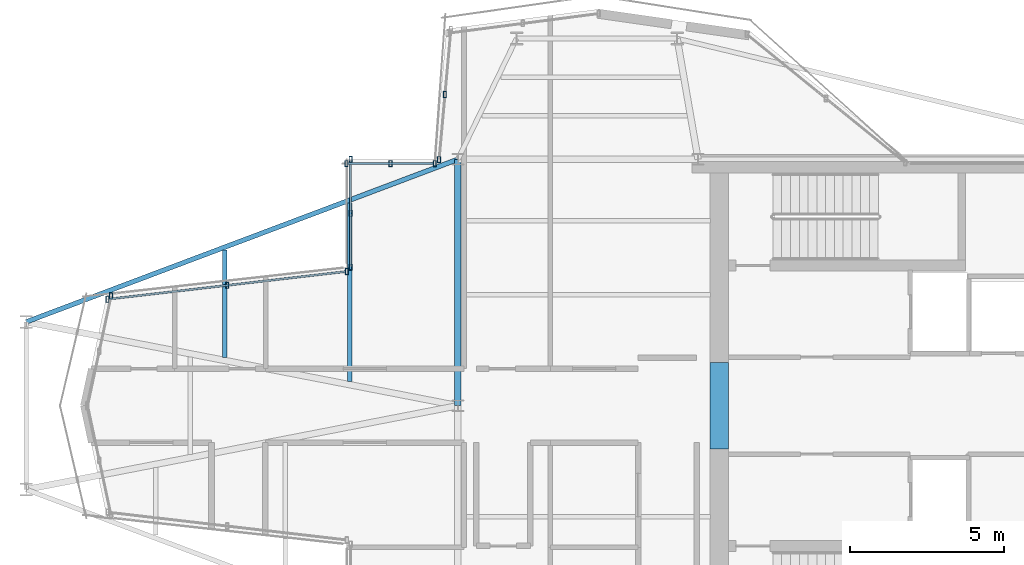
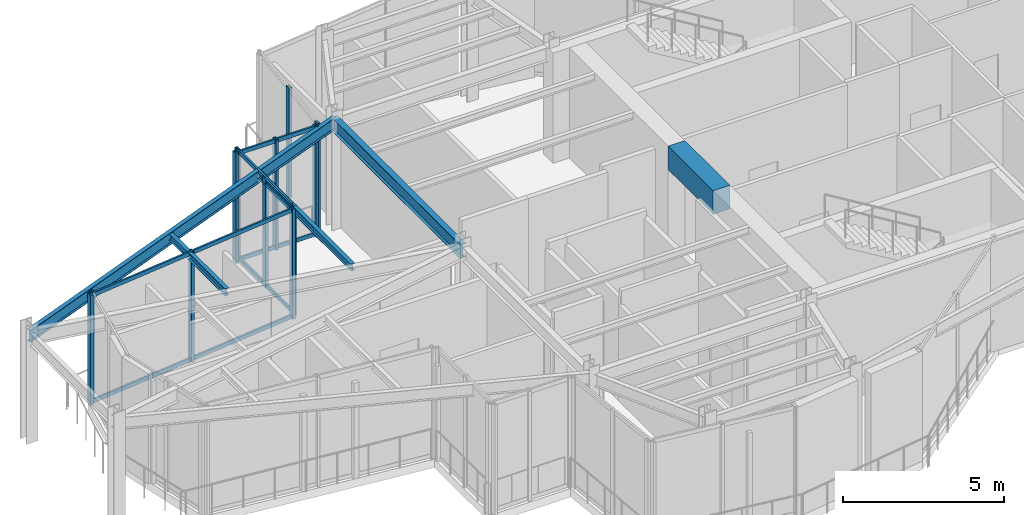
# One storey, part 4 of 14: 18 members, 5 beams, 5 elements without a shape of their own.
"""IFC4 building model written with IfcOpenShell, lengths in metres."""

import ifcopenshell
import ifcopenshell.guid

model = None  # the IFC model being written
_history = None  # IfcOwnerHistory: only IFC2X3 demands one
_inside = {}  # id of a spatial element -> (the spatial element, [elements in it])
_under = {}  # id of a project, library or spatial element -> (it, [spatial elements below it])
_declared = {}  # id of a project -> (the project, [libraries it declares])
_typed = {}  # id of a type object -> (the type object, [elements of that type])
_made_of = {}  # id of a material, layer set ... -> (it, [elements and type objects made of it])


def new_model(schema):
    """Start an empty IFC model of exactly this schema.

    Asked for "IFC4X3", IfcOpenShell would pick the latest addendum, in which some entities
    have other attributes; the version numbers below select the first issue.
    IFC2X3 requires an IfcOwnerHistory on every rooted entity: one is made here for all.
    """
    global model, _history
    if schema == "IFC4X3":
        model = ifcopenshell.file(schema_version=(4, 3, 0, 0))
    else:
        model = ifcopenshell.file(schema=schema)
    _inside.clear()
    _under.clear()
    _declared.clear()
    _typed.clear()
    _made_of.clear()
    _history = None
    if model.schema == "IFC2X3":
        org = make("IfcOrganization", Name="unknown")
        user = make(
            "IfcPersonAndOrganization",
            ThePerson=make("IfcPerson", FamilyName="unknown"),
            TheOrganization=org,
        )
        app = make(
            "IfcApplication",
            ApplicationDeveloper=org,
            Version="unknown",
            ApplicationFullName="unknown",
            ApplicationIdentifier="unknown",
        )
        _history = make(
            "IfcOwnerHistory",
            OwningUser=user,
            OwningApplication=app,
            ChangeAction="ADDED",
            CreationDate=0,
        )
    return model


def make(cls, **values):
    """One entity of the class cls with the attributes given. An attribute that is None is left unset."""
    return model.create_entity(
        cls, **{name: value for name, value in values.items() if value is not None}
    )


def rooted(cls, **values):
    """An entity with a GlobalId (a new one), such as an element, a storey or a relation."""
    return make(cls, GlobalId=ifcopenshell.guid.new(), OwnerHistory=_history, **values)


def si_unit(unit_type, name, prefix=None):
    """IfcSIUnit, for example si_unit("LENGTHUNIT", "METRE", prefix="MILLI")."""
    return make("IfcSIUnit", UnitType=unit_type, Prefix=prefix, Name=name)


def assignment(units):
    """IfcUnitAssignment: the units of a project."""
    return None if units is None else make("IfcUnitAssignment", Units=units)


def point(xyz):
    """IfcCartesianPoint."""
    return None if xyz is None else make("IfcCartesianPoint", Coordinates=xyz)


def direction(xyz):
    """IfcDirection."""
    return None if xyz is None else make("IfcDirection", DirectionRatios=xyz)


def frame(location, z_axis=None, x_axis=None):
    """IfcAxis2Placement3D, a coordinate frame: its origin and axes. An axis left out is left unset."""
    return make(
        "IfcAxis2Placement3D",
        Location=point(location),
        Axis=direction(z_axis),
        RefDirection=direction(x_axis),
    )


def frame_2d(location, x_axis=None):
    """IfcAxis2Placement2D, a coordinate frame in the plane: its origin and x axis."""
    return make(
        "IfcAxis2Placement2D", Location=point(location), RefDirection=direction(x_axis)
    )


def origin():
    """The frame at (0, 0, 0) with its axes left unset."""
    return frame((0.0, 0.0, 0.0))


def origin_2d():
    """The frame at (0, 0) in the plane with its x axis left unset."""
    return frame_2d((0.0, 0.0))


def place(relative_to, where):
    """IfcLocalPlacement: puts the frame where relative to a parent placement (None: the world)."""
    return make(
        "IfcLocalPlacement", PlacementRelTo=relative_to, RelativePlacement=where
    )


def context(
    kind, dimensions, precision=None, world=None, true_north=None, identifier=None
):
    """IfcGeometricRepresentationContext, for example the 3D "Model" context."""
    return make(
        "IfcGeometricRepresentationContext",
        ContextIdentifier=identifier,
        ContextType=kind,
        CoordinateSpaceDimension=dimensions,
        Precision=precision,
        WorldCoordinateSystem=world,
        TrueNorth=true_north,
    )


def subcontext(parent, identifier, kind, view, scale=None):
    """IfcGeometricRepresentationSubContext, for example "Body" below "Model"."""
    return make(
        "IfcGeometricRepresentationSubContext",
        ContextIdentifier=identifier,
        ContextType=kind,
        ParentContext=parent,
        TargetScale=scale,
        TargetView=view,
    )


def project(units=None, contexts=None):
    """IfcProject with its units and contexts."""
    return rooted(
        "IfcProject",
        Name="project",
        RepresentationContexts=contexts,
        UnitsInContext=assignment(units),
    )


def spatial(cls, under=None, at=None, **own):
    """A site, building, storey or space (cls), placed at a placement, below another one or the project."""
    s = rooted(cls, ObjectPlacement=at, **own)
    if under is not None:
        _under.setdefault(under.id(), (under, []))[1].append(s)
    return s


def profile(cls, at=None, kind="AREA", **sizes):
    """A parametric profile (cls). Its sizes go by their IFC names, for example OverallWidth=200.0."""
    return make(cls, ProfileType=kind, Position=at, **sizes)


def rectangle(**sizes):
    """IfcRectangleProfileDef."""
    return profile("IfcRectangleProfileDef", **sizes)


def hollow_rectangle(**sizes):
    """IfcRectangleHollowProfileDef."""
    return profile("IfcRectangleHollowProfileDef", **sizes)


def i_section(**sizes):
    """IfcIShapeProfileDef."""
    return profile("IfcIShapeProfileDef", **sizes)


def extrude(swept, where, along, depth):
    """IfcExtrudedAreaSolid: the profile swept, set in the frame where, extruded along a direction by depth."""
    return make(
        "IfcExtrudedAreaSolid",
        SweptArea=swept,
        Position=where,
        ExtrudedDirection=direction(along),
        Depth=depth,
    )


def shape(context_of_items, identifier, shape_type, items):
    """IfcShapeRepresentation: the items that make up one representation, for example the "Body"."""
    return make(
        "IfcShapeRepresentation",
        ContextOfItems=context_of_items,
        RepresentationIdentifier=identifier,
        RepresentationType=shape_type,
        Items=items,
    )


def material(Name=None, Category=None):
    """IfcMaterial."""
    return make("IfcMaterial", Name=Name, Category=Category)


def layer(
    of_material, thickness, ventilated=None, Name=None, Category=None, Priority=None
):
    """IfcMaterialLayer: one layer of a wall or slab, of a material (None: an air gap)."""
    return make(
        "IfcMaterialLayer",
        Material=of_material,
        LayerThickness=thickness,
        IsVentilated=ventilated,
        Name=Name,
        Category=Category,
        Priority=Priority,
    )


def layer_set(layers, Name=None):
    """IfcMaterialLayerSet."""
    return make("IfcMaterialLayerSet", MaterialLayers=layers, LayerSetName=Name)


def material_profile(
    of_material, cross_section, Name=None, Category=None, Priority=None
):
    """IfcMaterialProfile: a cross section and its material."""
    return make(
        "IfcMaterialProfile",
        Name=Name,
        Material=of_material,
        Profile=cross_section,
        Priority=Priority,
        Category=Category,
    )


def profile_set(profiles, Name=None, composite=None):
    """IfcMaterialProfileSet."""
    return make(
        "IfcMaterialProfileSet",
        Name=Name,
        MaterialProfiles=profiles,
        CompositeProfile=composite,
    )


def made_of(thing, what):
    """Note that an element or type object is made of a material, layer set ...; save() writes the relation."""
    if what is not None:
        _made_of.setdefault(what.id(), (what, []))[1].append(thing)
    return thing


def type_object(cls, material=None, **own):
    """A type object (cls), such as IfcWallType, which elements share."""
    return made_of(rooted(cls, **own), material)


def element(
    cls,
    number,
    at=None,
    inside=None,
    cuts=None,
    type_object=None,
    material=None,
    context=None,
    identifier="Body",
    shape_type=None,
    held_by="IfcProductDefinitionShape",
    body=None,
    shapes=None,
    **own,
):
    """One element of the class cls, such as IfcWall. Its Tag is "e" and its number.

    at: its placement. inside: the storey or other place that contains it. cuts: it is an
    opening in that element (IfcRelVoidsElement). A single representation is given by context,
    identifier, shape_type and body (its items); several are given by shapes. held_by: the class
    of the entity that holds the representations. save() writes the other relations.
    """
    e = rooted(cls, Tag="e%d" % number, ObjectPlacement=at, **own)
    if body is not None:
        shapes = [shape(context, identifier, shape_type, body)]
    if shapes is not None:
        e.Representation = make(held_by, Representations=shapes)
    if inside is not None:
        _inside.setdefault(inside.id(), (inside, []))[1].append(e)
    if cuts is not None:
        rooted(
            "IfcRelVoidsElement", RelatingBuildingElement=cuts, RelatedOpeningElement=e
        )
    if type_object is not None:
        _typed.setdefault(type_object.id(), (type_object, []))[1].append(e)
    return made_of(e, material)


def aggregate(whole, parts):
    """IfcRelAggregates: a whole, such as a stair, and the parts it consists of."""
    return rooted("IfcRelAggregates", RelatingObject=whole, RelatedObjects=parts)


def save(model, path):
    """Write the relations noted so far, then the file.

    IfcRelAggregates (storeys below a building ...), IfcRelContainedInSpatialStructure (elements
    in a storey), IfcRelDefinesByType, IfcRelAssociatesMaterial and IfcRelDeclares: one each for
    every whole, place, type object, material and project.
    """
    for whole, parts in _under.values():
        aggregate(whole, parts)
    for where, things in _inside.values():
        rooted(
            "IfcRelContainedInSpatialStructure",
            RelatedElements=things,
            RelatingStructure=where,
        )
    for kind, things in _typed.values():
        rooted("IfcRelDefinesByType", RelatedObjects=things, RelatingType=kind)
    for what, things in _made_of.values():
        rooted("IfcRelAssociatesMaterial", RelatedObjects=things, RelatingMaterial=what)
    for by, libraries in _declared.values():
        rooted("IfcRelDeclares", RelatingContext=by, RelatedDefinitions=libraries)
    model.write(path)


model = new_model("IFC4")

# Units and contexts
model_context = context("Model", 3, precision=1e-05, world=origin(), true_north=direction((0.0, 1.0)))
body_context = subcontext(model_context, "Body", "Model", "MODEL_VIEW")
ifc_project = project(units=[si_unit("LENGTHUNIT", "METRE"), si_unit("AREAUNIT", "SQUARE_METRE"), si_unit("VOLUMEUNIT", "CUBIC_METRE"), si_unit("PLANEANGLEUNIT", "RADIAN"), si_unit("MASSUNIT", "GRAM", prefix="KILO")], contexts=[model_context])

# Site, building, storey
site_placement = place(None, origin())
site = spatial("IfcSite", under=ifc_project, at=site_placement, CompositionType="ELEMENT")
building_placement = place(site_placement, origin())
building = spatial("IfcBuilding", under=site, at=building_placement, Name="Veymaron Broadcast Tower", CompositionType="ELEMENT")
storey_placement = place(building_placement, frame((0.0, 0.0, 332.39990234375)))
storey = spatial("IfcBuildingStorey", under=building, at=storey_placement, Name="L78", CompositionType="ELEMENT", Elevation=332.39990234375)

# Beams
ifc_material_1 = material(Name="Concrete C60/75", Category="concrete")
ifc_material_profile_1 = material_profile(ifc_material_1, rectangle(XDim=0.60009765625, YDim=0.89990234375, at=origin_2d()), Name="RC600X900")
ifc_profile_set_1 = profile_set([ifc_material_profile_1], Name="Concrete C60/75")
beam_type_1 = type_object("IfcBeamType", Name="BM-CB2", PredefinedType="LINTEL", material=ifc_profile_set_1)
beam_1_placement = place(storey_placement, frame((39.679931640625, 22.60009765625, 3.72998046875), z_axis=(0.0, 1.0, 0.0), x_axis=(-1.0, 0.0, 0.0)))
element("IfcBeam", 1, at=beam_1_placement, inside=storey, type_object=beam_type_1, Name="L78 Core Wall west coupling beam", PredefinedType="LINTEL", context=body_context, shape_type="SweptSolid", body=[
    extrude(rectangle(XDim=0.60009765625, YDim=0.89990234375, at=origin_2d()), origin(), (0.0, 0.0, 1.0), 2.7998046875),
])
ifc_material_2 = material(Name="Structural steel ASTM A992 Gr 50", Category="steel")
ifc_material_profile_2 = material_profile(ifc_material_2, i_section(OverallWidth=0.208984375, OverallDepth=0.528076171875, WebThickness=0.009521484375, FlangeThickness=0.01318359375, at=origin_2d()), Name="W530X82")
ifc_profile_set_2 = profile_set([ifc_material_profile_2], Name="Structural steel ASTM A992 Gr 50")
beam_type_2 = type_object("IfcBeamType", Name="BM-FG4", PredefinedType="BEAM", material=ifc_profile_set_2)
beam_2_placement = place(storey_placement, frame((31.199951171875, 24.0, 3.916015625), z_axis=(0.0, 1.0, 0.0), x_axis=(-1.0, 0.0, 0.0)))
element("IfcBeam", 2, at=beam_2_placement, inside=storey, type_object=beam_type_2, Name="L78 primary structural floor girder", PredefinedType="BEAM", context=body_context, shape_type="SweptSolid", body=[
    extrude(i_section(OverallWidth=0.208984375, OverallDepth=0.528076171875, WebThickness=0.009521484375, FlangeThickness=0.01318359375, at=origin_2d()), origin(), (0.0, 0.0, 1.0), 8.0),
])
ifc_material_profile_3 = material_profile(ifc_material_2, i_section(OverallWidth=0.14599609375, OverallDepth=0.258056640625, WebThickness=0.006103515625, FlangeThickness=0.009033203125, at=origin_2d()), Name="W250X33")
ifc_profile_set_3 = profile_set([ifc_material_profile_3], Name="Structural steel ASTM A992 Gr 50")
beam_type_3 = type_object("IfcBeamType", Name="BM-JS4", PredefinedType="JOIST", material=ifc_profile_set_3)
beam_3_placement = place(storey_placement, frame((23.63134765625, 25.56884765625, 4.051025390625), z_axis=(0.0, 1.0, 0.0), x_axis=(-1.0, 0.0, 0.0)))
element("IfcBeam", 3, at=beam_3_placement, inside=storey, type_object=beam_type_3, Name="L78 Arm-A secondary joist 1N", PredefinedType="JOIST", context=body_context, shape_type="SweptSolid", body=[
    extrude(i_section(OverallWidth=0.14599609375, OverallDepth=0.258056640625, WebThickness=0.006103515625, FlangeThickness=0.009033203125, at=origin_2d()), origin(), (0.0, 0.0, 1.0), 3.47998046875),
])
beam_4_placement = place(storey_placement, frame((27.696044921875, 24.780029296875, 4.051025390625), z_axis=(0.0, 1.0, 0.0), x_axis=(-1.0, 0.0, 0.0)))
element("IfcBeam", 4, at=beam_4_placement, inside=storey, type_object=beam_type_3, Name="L78 Arm-A secondary joist 2N", PredefinedType="JOIST", context=body_context, shape_type="SweptSolid", body=[
    extrude(i_section(OverallWidth=0.14599609375, OverallDepth=0.258056640625, WebThickness=0.006103515625, FlangeThickness=0.009033203125, at=origin_2d()), origin(), (0.0, 0.0, 1.0), 5.800048828125),
])
ifc_material_profile_4 = material_profile(ifc_material_2, i_section(OverallWidth=0.154052734375, OverallDepth=0.458984375, WebThickness=0.009033203125, FlangeThickness=0.015380859375, at=origin_2d()), Name="W460X68")
ifc_profile_set_4 = profile_set([ifc_material_profile_4], Name="Structural steel ASTM A992 Gr 50")
beam_type_4 = type_object("IfcBeamType", Name="BM-SP2", PredefinedType="SPANDREL", material=ifc_profile_set_4)
beam_5_placement = place(storey_placement, frame((17.18408203125, 26.719970703125, 3.95068359375), z_axis=(0.935799576277, 0.352532485083, 0.0), x_axis=(-0.352532485083, 0.935799576277, 0.0)))
element("IfcBeam", 5, at=beam_5_placement, inside=storey, type_object=beam_type_4, Name="L78 primary structural floor girder", PredefinedType="SPANDREL", context=body_context, shape_type="SweptSolid", body=[
    extrude(i_section(OverallWidth=0.154052734375, OverallDepth=0.458984375, WebThickness=0.009033203125, FlangeThickness=0.015380859375, at=origin_2d()), origin(), (0.0, 0.0, 1.0), 14.9775390625),
])

# Curtain wall, members
ifc_material_3 = material(Name="Anodised aluminium AA 6063-T6 and laminated low-E dark glass", Category="aluminium")
ifc_layer = layer(ifc_material_3, 0.179931640625)
ifc_layer_set = layer_set([ifc_layer], Name="Anodised aluminium AA 6063-T6 and laminated low-E dark glass")
curtain_wall_type = type_object("IfcCurtainWallType", Name="CW-SYS-07", PredefinedType="NOTDEFINED", material=ifc_layer_set)
curtain_wall_1_placement = place(storey_placement, origin())
curtain_wall_1 = element("IfcCurtainWall", 6, at=curtain_wall_1_placement, inside=storey, type_object=curtain_wall_type, Name="L78 dark-glass curtain wall CW-L78-E8-1", PredefinedType="NOTDEFINED")
ifc_material_4 = material(Name="Anodised aluminium AA 6063-T6", Category="aluminium")
ifc_material_profile_5 = material_profile(ifc_material_4, hollow_rectangle(XDim=0.10009765625, YDim=0.199951171875, WallThickness=0.010009765625, at=origin_2d()), Name="RHS200X100X10")
ifc_profile_set_5 = profile_set([ifc_material_profile_5], Name="Anodised aluminium AA 6063-T6")
member_type_1 = type_object("IfcMemberType", Name="CW-MUL-01", PredefinedType="MULLION", material=ifc_profile_set_5)
member_1_placement = place(storey_placement, frame((30.77978515625, 34.103515625, 0.0), z_axis=(0.0, 0.0, 1.0), x_axis=(1.0, 0.0, 0.0)))
member_1 = element("IfcMember", 7, at=member_1_placement, type_object=member_type_1, Name="CW-L78-E8-1 mullion 1", PredefinedType="MULLION", context=body_context, shape_type="SweptSolid", body=[
    extrude(hollow_rectangle(XDim=0.10009765625, YDim=0.199951171875, WallThickness=0.010009765625, at=origin_2d()), origin(), (0.0, 0.0, 1.0), 4.18017578125),
])
member_2_placement = place(storey_placement, frame((30.587890625, 31.9873046875, 0.0), z_axis=(0.0, 0.0, 1.0), x_axis=(1.0, 0.0, 0.0)))
member_2 = element("IfcMember", 8, at=member_2_placement, type_object=member_type_1, Name="CW-L78-E8-1 mullion 2", PredefinedType="MULLION", context=body_context, shape_type="SweptSolid", body=[
    extrude(hollow_rectangle(XDim=0.10009765625, YDim=0.199951171875, WallThickness=0.010009765625, at=origin_2d()), origin(), (0.0, 0.0, 1.0), 4.18017578125),
])
aggregate(curtain_wall_1, [member_1, member_2])

curtain_wall_2_placement = place(storey_placement, origin())
curtain_wall_2 = element("IfcCurtainWall", 9, at=curtain_wall_2_placement, inside=storey, type_object=curtain_wall_type, Name="L78 dark-glass curtain wall CW-L78-E9-1", PredefinedType="NOTDEFINED")
member_3_placement = place(storey_placement, frame((30.448486328125, 31.860107421875, 0.0), z_axis=(0.0, 0.0, 1.0), x_axis=(1.0, 0.0, 0.0)))
member_3 = element("IfcMember", 10, at=member_3_placement, type_object=member_type_1, Name="CW-L78-E9-1 mullion 0", PredefinedType="MULLION", context=body_context, shape_type="SweptSolid", body=[
    extrude(hollow_rectangle(XDim=0.10009765625, YDim=0.199951171875, WallThickness=0.010009765625, at=origin_2d()), origin(), (0.0, 0.0, 1.0), 4.18017578125),
])
member_4_placement = place(storey_placement, frame((29.01220703125, 31.860107421875, 0.0), z_axis=(0.0, 0.0, 1.0), x_axis=(1.0, 0.0, 0.0)))
member_4 = element("IfcMember", 11, at=member_4_placement, type_object=member_type_1, Name="CW-L78-E9-1 mullion 1", PredefinedType="MULLION", context=body_context, shape_type="SweptSolid", body=[
    extrude(hollow_rectangle(XDim=0.10009765625, YDim=0.199951171875, WallThickness=0.010009765625, at=origin_2d()), origin(), (0.0, 0.0, 1.0), 4.18017578125),
])
member_5_placement = place(storey_placement, frame((27.575927734375, 31.860107421875, 0.0), z_axis=(0.0, 0.0, 1.0), x_axis=(1.0, 0.0, 0.0)))
member_5 = element("IfcMember", 12, at=member_5_placement, type_object=member_type_1, Name="CW-L78-E9-1 mullion 2", PredefinedType="MULLION", context=body_context, shape_type="SweptSolid", body=[
    extrude(hollow_rectangle(XDim=0.10009765625, YDim=0.199951171875, WallThickness=0.010009765625, at=origin_2d()), origin(), (0.0, 0.0, 1.0), 4.18017578125),
])

curtain_wall_3_placement = place(storey_placement, origin())
curtain_wall_3 = element("IfcCurtainWall", 13, at=curtain_wall_3_placement, inside=storey, type_object=curtain_wall_type, Name="L78 dark-glass curtain wall CW-L78-E10-1", PredefinedType="NOTDEFINED")
member_6_placement = place(storey_placement, frame((27.716064453125, 32.0, 0.0), z_axis=(0.0, 0.0, 1.0), x_axis=(1.0, 0.0, 0.0)))
member_6 = element("IfcMember", 14, at=member_6_placement, type_object=member_type_1, Name="CW-L78-E10-1 mullion 0", PredefinedType="MULLION", context=body_context, shape_type="SweptSolid", body=[
    extrude(hollow_rectangle(XDim=0.10009765625, YDim=0.199951171875, WallThickness=0.010009765625, at=origin_2d()), origin(), (0.0, 0.0, 1.0), 4.18017578125),
])
member_7_placement = place(storey_placement, frame((27.716064453125, 30.2490234375, 0.0), z_axis=(0.0, 0.0, 1.0), x_axis=(1.0, 0.0, 0.0)))
member_7 = element("IfcMember", 15, at=member_7_placement, type_object=member_type_1, Name="CW-L78-E10-1 mullion 1", PredefinedType="MULLION", context=body_context, shape_type="SweptSolid", body=[
    extrude(hollow_rectangle(XDim=0.10009765625, YDim=0.199951171875, WallThickness=0.010009765625, at=origin_2d()), origin(), (0.0, 0.0, 1.0), 4.18017578125),
])
member_8_placement = place(storey_placement, frame((27.716064453125, 28.498046875, 0.0), z_axis=(0.0, 0.0, 1.0), x_axis=(1.0, 0.0, 0.0)))
member_8 = element("IfcMember", 16, at=member_8_placement, type_object=member_type_1, Name="CW-L78-E10-1 mullion 2", PredefinedType="MULLION", context=body_context, shape_type="SweptSolid", body=[
    extrude(hollow_rectangle(XDim=0.10009765625, YDim=0.199951171875, WallThickness=0.010009765625, at=origin_2d()), origin(), (0.0, 0.0, 1.0), 4.18017578125),
])

curtain_wall_4_placement = place(storey_placement, origin())
curtain_wall_4 = element("IfcCurtainWall", 17, at=curtain_wall_4_placement, inside=storey, type_object=curtain_wall_type, Name="L78 dark-glass curtain wall CW-L78-E11-1", PredefinedType="NOTDEFINED")
member_9_placement = place(storey_placement, frame((27.592041015625, 28.35888671875, 0.0), z_axis=(0.0, 0.0, 1.0), x_axis=(1.0, 0.0, 0.0)))
member_9 = element("IfcMember", 18, at=member_9_placement, type_object=member_type_1, Name="CW-L78-E11-1 mullion 0", PredefinedType="MULLION", context=body_context, shape_type="SweptSolid", body=[
    extrude(hollow_rectangle(XDim=0.10009765625, YDim=0.199951171875, WallThickness=0.010009765625, at=origin_2d()), origin(), (0.0, 0.0, 1.0), 4.18017578125),
])
member_10_placement = place(storey_placement, frame((23.7041015625, 27.907470703125, 0.0), z_axis=(0.0, 0.0, 1.0), x_axis=(1.0, 0.0, 0.0)))
member_10 = element("IfcMember", 19, at=member_10_placement, type_object=member_type_1, Name="CW-L78-E11-1 mullion 1", PredefinedType="MULLION", context=body_context, shape_type="SweptSolid", body=[
    extrude(hollow_rectangle(XDim=0.10009765625, YDim=0.199951171875, WallThickness=0.010009765625, at=origin_2d()), origin(), (0.0, 0.0, 1.0), 4.18017578125),
])
member_11_placement = place(storey_placement, frame((19.816162109375, 27.4560546875, 0.0), z_axis=(0.0, 0.0, 1.0), x_axis=(1.0, 0.0, 0.0)))
member_11 = element("IfcMember", 20, at=member_11_placement, type_object=member_type_1, Name="CW-L78-E11-1 mullion 2", PredefinedType="MULLION", context=body_context, shape_type="SweptSolid", body=[
    extrude(hollow_rectangle(XDim=0.10009765625, YDim=0.199951171875, WallThickness=0.010009765625, at=origin_2d()), origin(), (0.0, 0.0, 1.0), 4.18017578125),
])

# Curtain wall, member
curtain_wall_5_placement = place(storey_placement, origin())
curtain_wall_5 = element("IfcCurtainWall", 21, at=curtain_wall_5_placement, inside=storey, type_object=curtain_wall_type, Name="L78 dark-glass curtain wall CW-L78-E12-1", PredefinedType="NOTDEFINED")
member_12_placement = place(storey_placement, frame((19.93701171875, 27.56591796875, 0.0), z_axis=(0.0, 0.0, 1.0), x_axis=(1.0, 0.0, 0.0)))
member_12 = element("IfcMember", 22, at=member_12_placement, type_object=member_type_1, Name="CW-L78-E12-1 mullion 0", PredefinedType="MULLION", context=body_context, shape_type="SweptSolid", body=[
    extrude(hollow_rectangle(XDim=0.10009765625, YDim=0.199951171875, WallThickness=0.010009765625, at=origin_2d()), origin(), (0.0, 0.0, 1.0), 4.18017578125),
])
aggregate(curtain_wall_5, [member_12])

# Member
ifc_material_profile_6 = material_profile(ifc_material_4, hollow_rectangle(XDim=0.06494140625, YDim=0.14990234375, WallThickness=0.00390625, at=origin_2d()), Name="AL150X65X4")
ifc_profile_set_6 = profile_set([ifc_material_profile_6], Name="Anodised aluminium AA 6063-T6")
member_type_2 = type_object("IfcMemberType", Name="CW-TRN-01", PredefinedType="USERDEFINED", material=ifc_profile_set_6)
member_13_placement = place(storey_placement, frame((30.398681640625, 31.860107421875, 0.070068359375), z_axis=(-1.0, 0.0, 0.0), x_axis=(0.0, -1.0, 0.0)))
member_13 = element("IfcMember", 23, at=member_13_placement, type_object=member_type_2, Name="CW-L78-E9-1 transom B", ObjectType="TRANSOM", PredefinedType="USERDEFINED", context=body_context, shape_type="SweptSolid", body=[
    extrude(hollow_rectangle(XDim=0.06494140625, YDim=0.14990234375, WallThickness=0.00390625, at=origin_2d()), origin(), (0.0, 0.0, 1.0), 2.772705078125),
])

member_14_placement = place(storey_placement, frame((30.398681640625, 31.860107421875, 4.110107421875), z_axis=(-1.0, 0.0, 0.0), x_axis=(0.0, -1.0, 0.0)))
member_14 = element("IfcMember", 24, at=member_14_placement, type_object=member_type_2, Name="CW-L78-E9-1 transom T", ObjectType="TRANSOM", PredefinedType="USERDEFINED", context=body_context, shape_type="SweptSolid", body=[
    extrude(hollow_rectangle(XDim=0.06494140625, YDim=0.14990234375, WallThickness=0.00390625, at=origin_2d()), origin(), (0.0, 0.0, 1.0), 2.772705078125),
])

aggregate(curtain_wall_2, [member_3, member_4, member_5, member_13, member_14])

member_15_placement = place(storey_placement, frame((27.716064453125, 31.949951171875, 0.070068359375), z_axis=(0.0, -1.0, 0.0), x_axis=(1.0, 0.0, 0.0)))
member_15 = element("IfcMember", 25, at=member_15_placement, type_object=member_type_2, Name="CW-L78-E10-1 transom B", ObjectType="TRANSOM", PredefinedType="USERDEFINED", context=body_context, shape_type="SweptSolid", body=[
    extrude(hollow_rectangle(XDim=0.06494140625, YDim=0.14990234375, WallThickness=0.00390625, at=origin_2d()), origin(), (0.0, 0.0, 1.0), 3.40185546875),
])

member_16_placement = place(storey_placement, frame((27.716064453125, 31.949951171875, 4.110107421875), z_axis=(0.0, -1.0, 0.0), x_axis=(1.0, 0.0, 0.0)))
member_16 = element("IfcMember", 26, at=member_16_placement, type_object=member_type_2, Name="CW-L78-E10-1 transom T", ObjectType="TRANSOM", PredefinedType="USERDEFINED", context=body_context, shape_type="SweptSolid", body=[
    extrude(hollow_rectangle(XDim=0.06494140625, YDim=0.14990234375, WallThickness=0.00390625, at=origin_2d()), origin(), (0.0, 0.0, 1.0), 3.40185546875),
])

aggregate(curtain_wall_3, [member_6, member_7, member_8, member_15, member_16])

member_17_placement = place(storey_placement, frame((27.54248046875, 28.353271484375, 0.070068359375), z_axis=(-0.99332649956, -0.115336313761, 0.0), x_axis=(0.115336313761, -0.99332649956, 0.0)))
member_17 = element("IfcMember", 27, at=member_17_placement, type_object=member_type_2, Name="CW-L78-E11-1 transom B", ObjectType="TRANSOM", PredefinedType="USERDEFINED", context=body_context, shape_type="SweptSolid", body=[
    extrude(hollow_rectangle(XDim=0.06494140625, YDim=0.14990234375, WallThickness=0.00390625, at=origin_2d()), origin(), (0.0, 0.0, 1.0), 7.728271484375),
])

member_18_placement = place(storey_placement, frame((27.54248046875, 28.353271484375, 4.110107421875), z_axis=(-0.99332649956, -0.115336313761, 0.0), x_axis=(0.115336313761, -0.99332649956, 0.0)))
member_18 = element("IfcMember", 28, at=member_18_placement, type_object=member_type_2, Name="CW-L78-E11-1 transom T", ObjectType="TRANSOM", PredefinedType="USERDEFINED", context=body_context, shape_type="SweptSolid", body=[
    extrude(hollow_rectangle(XDim=0.06494140625, YDim=0.14990234375, WallThickness=0.00390625, at=origin_2d()), origin(), (0.0, 0.0, 1.0), 7.728271484375),
])

aggregate(curtain_wall_4, [member_9, member_10, member_11, member_17, member_18])

save(model, "model.ifc")
